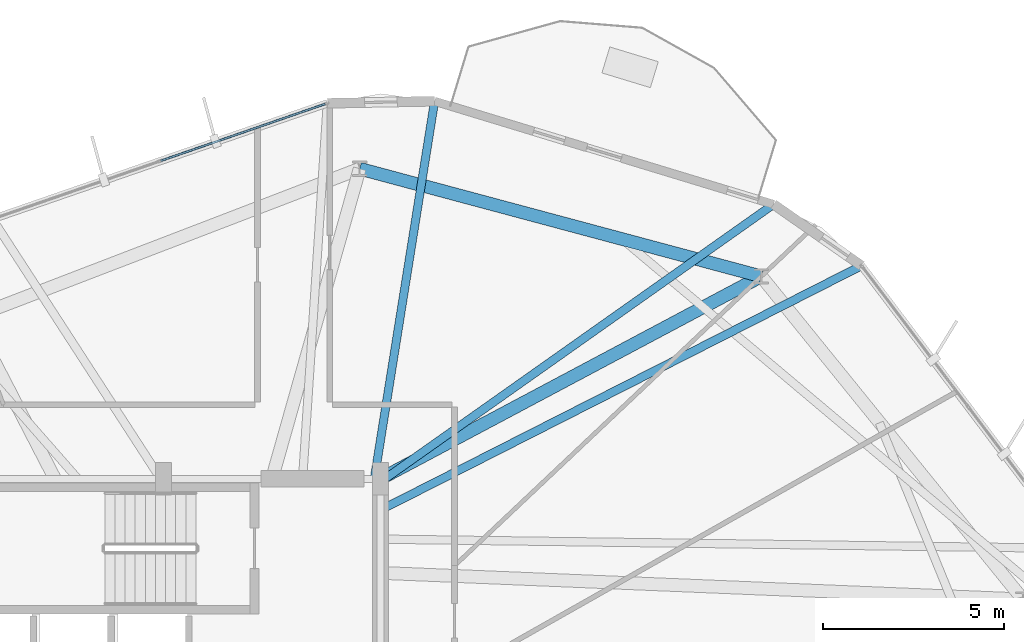
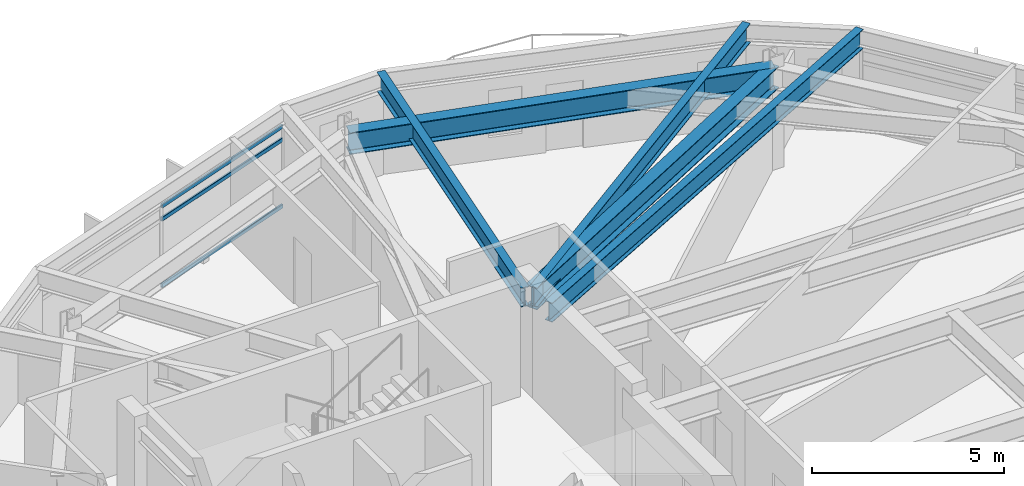
# One storey, part 22 of 34: 5 beams, 3 members, 1 element without a shape of its own.
"""IFC4 building model written with IfcOpenShell, lengths in metres."""

from ifc_helpers import new_model, si_unit, direction, frame, origin, origin_2d, place, context, subcontext, project, spatial, hollow_rectangle, i_section, extrude, material, layer, layer_set, material_profile, profile_set, type_object, element, aggregate, save


model = new_model("IFC4")

# Units and contexts
model_context = context("Model", 3, precision=1e-05, world=origin(), true_north=direction((0.0, 1.0)))
body_context = subcontext(model_context, "Body", "Model", "MODEL_VIEW")
ifc_project = project(units=[si_unit("LENGTHUNIT", "METRE"), si_unit("AREAUNIT", "SQUARE_METRE"), si_unit("VOLUMEUNIT", "CUBIC_METRE"), si_unit("PLANEANGLEUNIT", "RADIAN"), si_unit("MASSUNIT", "GRAM", prefix="KILO")], contexts=[model_context])

# Site, building, storey
site_placement = place(None, origin())
site = spatial("IfcSite", under=ifc_project, at=site_placement, CompositionType="ELEMENT")
building_placement = place(site_placement, origin())
building = spatial("IfcBuilding", under=site, at=building_placement, Name="Soratama Intermodal Tower", CompositionType="ELEMENT")
storey_placement = place(building_placement, frame((0.0, 0.0, 233.800048828125)))
storey = spatial("IfcBuildingStorey", under=building, at=storey_placement, Name="L59", CompositionType="ELEMENT", Elevation=233.800048828125)

# Beams
ifc_material_1 = material(Name="Structural steel ASTM A992 Grade 50", Category="steel")
ifc_material_profile_1 = material_profile(ifc_material_1, i_section(OverallWidth=0.35498046875, OverallDepth=0.695068359375, WebThickness=0.015380859375, FlangeThickness=0.02490234375, FilletRadius=0.01611328125, at=origin_2d()), Name="W27X146")
ifc_profile_set_1 = profile_set([ifc_material_profile_1], Name="Structural steel ASTM A992 Grade 50")
beam_type_1 = type_object("IfcBeamType", Name="BM-RING-W27X146", PredefinedType="BEAM", material=ifc_profile_set_1)
beam_1_placement = place(storey_placement, frame((55.1298828125, 40.59912109375, 2.87255859375), z_axis=(-0.965907374298, 0.258887899055, 0.0), x_axis=(-0.258887899055, -0.965907374298, 0.0)))
element("IfcBeam", 1, at=beam_1_placement, inside=storey, type_object=beam_type_1, Name="BM-L59-RING-02", PredefinedType="BEAM", context=body_context, shape_type="SweptSolid", body=[
    extrude(i_section(OverallWidth=0.35498046875, OverallDepth=0.695068359375, WebThickness=0.015380859375, FlangeThickness=0.02490234375, FilletRadius=0.01611328125, at=origin_2d()), origin(), (0.0, 0.0, 1.0), 11.49462890625),
])
beam_2_placement = place(storey_placement, frame((44.60009765625, 35.0, 2.87255859375), z_axis=(0.882935948236, 0.469493462482, 0.0), x_axis=(-0.469493462482, 0.882935948236, 0.0)))
element("IfcBeam", 2, at=beam_2_placement, inside=storey, type_object=beam_type_1, Name="BM-L59-RAD-02", PredefinedType="BEAM", context=body_context, shape_type="SweptSolid", body=[
    extrude(i_section(OverallWidth=0.35498046875, OverallDepth=0.695068359375, WebThickness=0.015380859375, FlangeThickness=0.02490234375, FilletRadius=0.01611328125, at=origin_2d()), origin(), (0.0, 0.0, 1.0), 11.92578125),
])
ifc_material_2 = material(Name="Structural steel ASTM A992 Grade 50", Category="steel")
ifc_material_profile_2 = material_profile(ifc_material_2, i_section(OverallWidth=0.22900390625, OverallDepth=0.612060546875, WebThickness=0.011962890625, FlangeThickness=0.01953125, FilletRadius=0.012939453125, at=origin_2d()), Name="W24X84")
ifc_profile_set_2 = profile_set([ifc_material_profile_2], Name="Structural steel ASTM A992 Grade 50")
beam_type_2 = type_object("IfcBeamType", Name="BM-TIE-W24X84", PredefinedType="BEAM", material=ifc_profile_set_2)
beam_3_placement = place(storey_placement, frame((44.633056640625, 34.93505859375, 2.9140625), z_axis=(0.816788859615, 0.576936702601, 0.0), x_axis=(-0.576936702601, 0.816788859615, 0.0)))
element("IfcBeam", 3, at=beam_3_placement, inside=storey, type_object=beam_type_2, Name="BM-L59-TIE0-01", PredefinedType="BEAM", context=body_context, shape_type="SweptSolid", body=[
    extrude(i_section(OverallWidth=0.22900390625, OverallDepth=0.612060546875, WebThickness=0.011962890625, FlangeThickness=0.01953125, FilletRadius=0.012939453125, at=origin_2d()), origin(), (0.0, 0.0, 1.0), 13.27001953125),
])
beam_4_placement = place(storey_placement, frame((44.43701171875, 35.0390625, 2.9140625), z_axis=(0.157660580758, 0.987493362649, 0.0), x_axis=(-0.987493362649, 0.157660580758, 0.0)))
element("IfcBeam", 4, at=beam_4_placement, inside=storey, type_object=beam_type_2, Name="BM-L59-TIE1-01", PredefinedType="BEAM", context=body_context, shape_type="SweptSolid", body=[
    extrude(i_section(OverallWidth=0.22900390625, OverallDepth=0.612060546875, WebThickness=0.011962890625, FlangeThickness=0.01953125, FilletRadius=0.012939453125, at=origin_2d()), origin(), (0.0, 0.0, 1.0), 10.53466796875),
])
beam_5_placement = place(storey_placement, frame((44.635986328125, 34.154052734375, 2.9140625), z_axis=(0.891587594886, 0.452848275524, 0.0), x_axis=(-0.452848275524, 0.891587594886, 0.0)))
element("IfcBeam", 5, at=beam_5_placement, inside=storey, type_object=beam_type_2, Name="BM-L59-TIE1-10", PredefinedType="BEAM", context=body_context, shape_type="SweptSolid", body=[
    extrude(i_section(OverallWidth=0.22900390625, OverallDepth=0.612060546875, WebThickness=0.011962890625, FlangeThickness=0.01953125, FilletRadius=0.012939453125, at=origin_2d()), origin(), (0.0, 0.0, 1.0), 14.88134765625),
])

# Curtain wall, members
ifc_material_3 = material(Name="Double-glazed aluminium curtain wall", Category="aluminium")
ifc_layer = layer(ifc_material_3, 0.159912109375)
ifc_layer_set = layer_set([ifc_layer], Name="Double-glazed aluminium curtain wall")
curtain_wall_type = type_object("IfcCurtainWallType", Name="CW-SYS-5", PredefinedType="NOTDEFINED", material=ifc_layer_set)
curtain_wall_placement = place(storey_placement, origin())
curtain_wall = element("IfcCurtainWall", 6, at=curtain_wall_placement, inside=storey, type_object=curtain_wall_type, Name="L59 Faceted Curtain Wall F02", PredefinedType="NOTDEFINED")
ifc_material_4 = material(Name="Anodised aluminium AA 6063-T6", Category="aluminium")
ifc_material_profile_3 = material_profile(ifc_material_4, hollow_rectangle(XDim=0.06005859375, YDim=0.1298828125, WallThickness=0.0048828125, InnerFilletRadius=0.0048828125, OuterFilletRadius=0.010009765625, at=origin_2d()), Name="CWT130X60X5")
ifc_profile_set_3 = profile_set([ifc_material_profile_3], Name="Anodised aluminium AA 6063-T6")
member_type = type_object("IfcMemberType", Name="TT-CWT-2", PredefinedType="USERDEFINED", material=ifc_profile_set_3)
member_1_placement = place(storey_placement, frame((43.075439453125, 45.366943359375, 0.030029296875), z_axis=(-0.945059084363, -0.326899567242, 0.0), x_axis=(0.326899567242, -0.945059084363, 0.0)))
member_1 = element("IfcMember", 7, at=member_1_placement, type_object=member_type, Name="CW-5 transom 1.1", ObjectType="TRANSOM", PredefinedType="USERDEFINED", context=body_context, shape_type="SweptSolid", body=[
    extrude(hollow_rectangle(XDim=0.06005859375, YDim=0.1298828125, WallThickness=0.0048828125, InnerFilletRadius=0.0048828125, OuterFilletRadius=0.010009765625, at=origin_2d()), origin(), (0.0, 0.0, 1.0), 4.808837890625),
])
member_2_placement = place(storey_placement, frame((43.075439453125, 45.366943359375, 2.14990234375), z_axis=(-0.945059084363, -0.326899567242, 0.0), x_axis=(0.326899567242, -0.945059084363, 0.0)))
member_2 = element("IfcMember", 8, at=member_2_placement, type_object=member_type, Name="CW-5 transom 1.2", ObjectType="TRANSOM", PredefinedType="USERDEFINED", context=body_context, shape_type="SweptSolid", body=[
    extrude(hollow_rectangle(XDim=0.06005859375, YDim=0.1298828125, WallThickness=0.0048828125, InnerFilletRadius=0.0048828125, OuterFilletRadius=0.010009765625, at=origin_2d()), origin(), (0.0, 0.0, 1.0), 4.808837890625),
])
member_3_placement = place(storey_placement, frame((43.075439453125, 45.366943359375, 2.56884765625), z_axis=(-0.945059084363, -0.326899567242, 0.0), x_axis=(0.326899567242, -0.945059084363, 0.0)))
member_3 = element("IfcMember", 9, at=member_3_placement, type_object=member_type, Name="CW-5 transom 1.3", ObjectType="TRANSOM", PredefinedType="USERDEFINED", context=body_context, shape_type="SweptSolid", body=[
    extrude(hollow_rectangle(XDim=0.06005859375, YDim=0.1298828125, WallThickness=0.0048828125, InnerFilletRadius=0.0048828125, OuterFilletRadius=0.010009765625, at=origin_2d()), origin(), (0.0, 0.0, 1.0), 4.808837890625),
])
aggregate(curtain_wall, [member_1, member_2, member_3])

save(model, "model.ifc")
